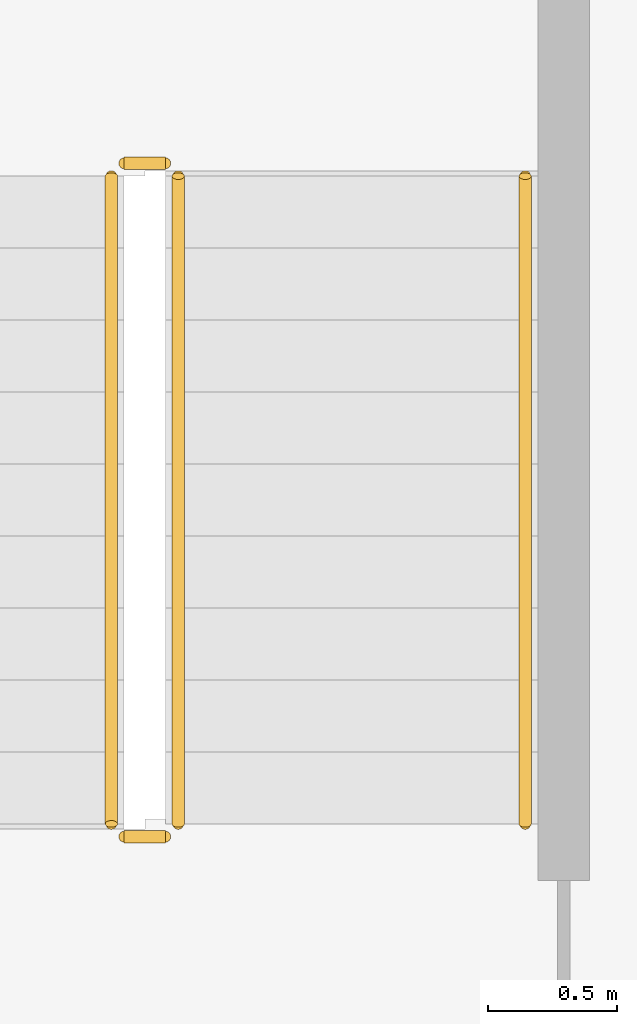
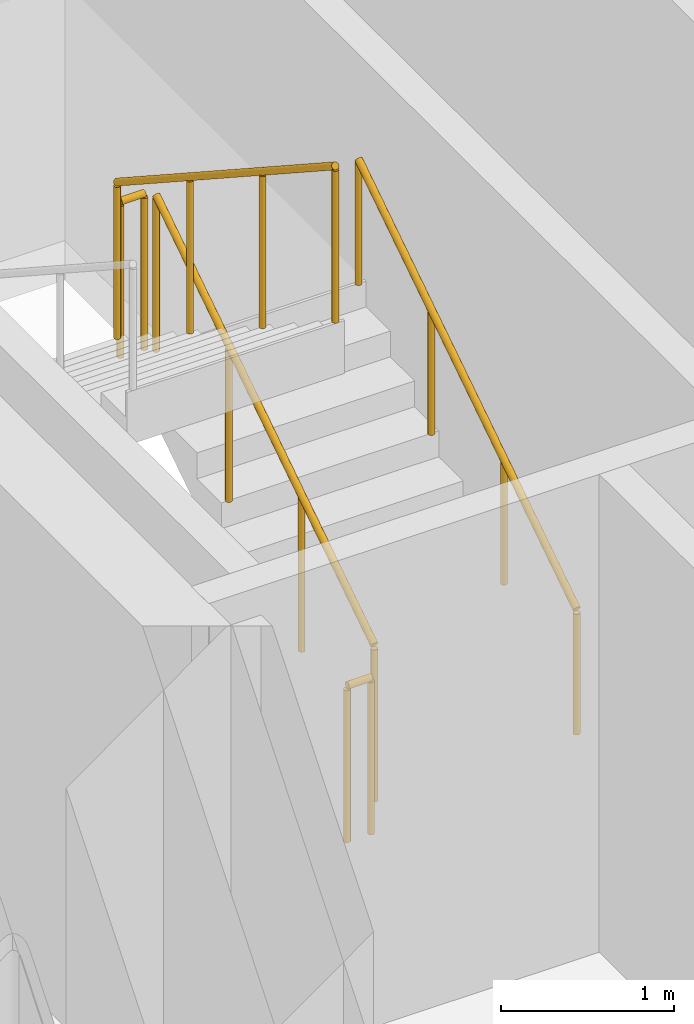
# One storey, part 10 of 12: 5 railings.
"""IFC4 building model written with IfcOpenShell, lengths in metres."""

import ifcopenshell
import ifcopenshell.guid

model = None  # the IFC model being written
_history = None  # IfcOwnerHistory: only IFC2X3 demands one
_inside = {}  # id of a spatial element -> (the spatial element, [elements in it])
_under = {}  # id of a project, library or spatial element -> (it, [spatial elements below it])
_declared = {}  # id of a project -> (the project, [libraries it declares])
_typed = {}  # id of a type object -> (the type object, [elements of that type])
_made_of = {}  # id of a material, layer set ... -> (it, [elements and type objects made of it])


def new_model(schema):
    """Start an empty IFC model of exactly this schema.

    Asked for "IFC4X3", IfcOpenShell would pick the latest addendum, in which some entities
    have other attributes; the version numbers below select the first issue.
    IFC2X3 requires an IfcOwnerHistory on every rooted entity: one is made here for all.
    """
    global model, _history
    if schema == "IFC4X3":
        model = ifcopenshell.file(schema_version=(4, 3, 0, 0))
    else:
        model = ifcopenshell.file(schema=schema)
    _inside.clear()
    _under.clear()
    _declared.clear()
    _typed.clear()
    _made_of.clear()
    _history = None
    if model.schema == "IFC2X3":
        org = make("IfcOrganization", Name="unknown")
        user = make(
            "IfcPersonAndOrganization",
            ThePerson=make("IfcPerson", FamilyName="unknown"),
            TheOrganization=org,
        )
        app = make(
            "IfcApplication",
            ApplicationDeveloper=org,
            Version="unknown",
            ApplicationFullName="unknown",
            ApplicationIdentifier="unknown",
        )
        _history = make(
            "IfcOwnerHistory",
            OwningUser=user,
            OwningApplication=app,
            ChangeAction="ADDED",
            CreationDate=0,
        )
    return model


def make(cls, **values):
    """One entity of the class cls with the attributes given. An attribute that is None is left unset."""
    return model.create_entity(
        cls, **{name: value for name, value in values.items() if value is not None}
    )


def rooted(cls, **values):
    """An entity with a GlobalId (a new one), such as an element, a storey or a relation."""
    return make(cls, GlobalId=ifcopenshell.guid.new(), OwnerHistory=_history, **values)


def si_unit(unit_type, name, prefix=None):
    """IfcSIUnit, for example si_unit("LENGTHUNIT", "METRE", prefix="MILLI")."""
    return make("IfcSIUnit", UnitType=unit_type, Prefix=prefix, Name=name)


def assignment(units):
    """IfcUnitAssignment: the units of a project."""
    return None if units is None else make("IfcUnitAssignment", Units=units)


def point(xyz):
    """IfcCartesianPoint."""
    return None if xyz is None else make("IfcCartesianPoint", Coordinates=xyz)


def direction(xyz):
    """IfcDirection."""
    return None if xyz is None else make("IfcDirection", DirectionRatios=xyz)


def frame(location, z_axis=None, x_axis=None):
    """IfcAxis2Placement3D, a coordinate frame: its origin and axes. An axis left out is left unset."""
    return make(
        "IfcAxis2Placement3D",
        Location=point(location),
        Axis=direction(z_axis),
        RefDirection=direction(x_axis),
    )


def frame_2d(location, x_axis=None):
    """IfcAxis2Placement2D, a coordinate frame in the plane: its origin and x axis."""
    return make(
        "IfcAxis2Placement2D", Location=point(location), RefDirection=direction(x_axis)
    )


def origin():
    """The frame at (0, 0, 0) with its axes left unset."""
    return frame((0.0, 0.0, 0.0))


def origin_2d():
    """The frame at (0, 0) in the plane with its x axis left unset."""
    return frame_2d((0.0, 0.0))


def place(relative_to, where):
    """IfcLocalPlacement: puts the frame where relative to a parent placement (None: the world)."""
    return make(
        "IfcLocalPlacement", PlacementRelTo=relative_to, RelativePlacement=where
    )


def context(
    kind, dimensions, precision=None, world=None, true_north=None, identifier=None
):
    """IfcGeometricRepresentationContext, for example the 3D "Model" context."""
    return make(
        "IfcGeometricRepresentationContext",
        ContextIdentifier=identifier,
        ContextType=kind,
        CoordinateSpaceDimension=dimensions,
        Precision=precision,
        WorldCoordinateSystem=world,
        TrueNorth=true_north,
    )


def subcontext(parent, identifier, kind, view, scale=None):
    """IfcGeometricRepresentationSubContext, for example "Body" below "Model"."""
    return make(
        "IfcGeometricRepresentationSubContext",
        ContextIdentifier=identifier,
        ContextType=kind,
        ParentContext=parent,
        TargetScale=scale,
        TargetView=view,
    )


def project(units=None, contexts=None):
    """IfcProject with its units and contexts."""
    return rooted(
        "IfcProject",
        Name="project",
        RepresentationContexts=contexts,
        UnitsInContext=assignment(units),
    )


def spatial(cls, under=None, at=None, **own):
    """A site, building, storey or space (cls), placed at a placement, below another one or the project."""
    s = rooted(cls, ObjectPlacement=at, **own)
    if under is not None:
        _under.setdefault(under.id(), (under, []))[1].append(s)
    return s


def profile(cls, at=None, kind="AREA", **sizes):
    """A parametric profile (cls). Its sizes go by their IFC names, for example OverallWidth=200.0."""
    return make(cls, ProfileType=kind, Position=at, **sizes)


def circle(**sizes):
    """IfcCircleProfileDef."""
    return profile("IfcCircleProfileDef", **sizes)


def extrude(swept, where, along, depth):
    """IfcExtrudedAreaSolid: the profile swept, set in the frame where, extruded along a direction by depth."""
    return make(
        "IfcExtrudedAreaSolid",
        SweptArea=swept,
        Position=where,
        ExtrudedDirection=direction(along),
        Depth=depth,
    )


def shape(context_of_items, identifier, shape_type, items):
    """IfcShapeRepresentation: the items that make up one representation, for example the "Body"."""
    return make(
        "IfcShapeRepresentation",
        ContextOfItems=context_of_items,
        RepresentationIdentifier=identifier,
        RepresentationType=shape_type,
        Items=items,
    )


def material(Name=None, Category=None):
    """IfcMaterial."""
    return make("IfcMaterial", Name=Name, Category=Category)


def made_of(thing, what):
    """Note that an element or type object is made of a material, layer set ...; save() writes the relation."""
    if what is not None:
        _made_of.setdefault(what.id(), (what, []))[1].append(thing)
    return thing


def type_object(cls, material=None, **own):
    """A type object (cls), such as IfcWallType, which elements share."""
    return made_of(rooted(cls, **own), material)


def element(
    cls,
    number,
    at=None,
    inside=None,
    cuts=None,
    type_object=None,
    material=None,
    context=None,
    identifier="Body",
    shape_type=None,
    held_by="IfcProductDefinitionShape",
    body=None,
    shapes=None,
    **own,
):
    """One element of the class cls, such as IfcWall. Its Tag is "e" and its number.

    at: its placement. inside: the storey or other place that contains it. cuts: it is an
    opening in that element (IfcRelVoidsElement). A single representation is given by context,
    identifier, shape_type and body (its items); several are given by shapes. held_by: the class
    of the entity that holds the representations. save() writes the other relations.
    """
    e = rooted(cls, Tag="e%d" % number, ObjectPlacement=at, **own)
    if body is not None:
        shapes = [shape(context, identifier, shape_type, body)]
    if shapes is not None:
        e.Representation = make(held_by, Representations=shapes)
    if inside is not None:
        _inside.setdefault(inside.id(), (inside, []))[1].append(e)
    if cuts is not None:
        rooted(
            "IfcRelVoidsElement", RelatingBuildingElement=cuts, RelatedOpeningElement=e
        )
    if type_object is not None:
        _typed.setdefault(type_object.id(), (type_object, []))[1].append(e)
    return made_of(e, material)


def aggregate(whole, parts):
    """IfcRelAggregates: a whole, such as a stair, and the parts it consists of."""
    return rooted("IfcRelAggregates", RelatingObject=whole, RelatedObjects=parts)


def save(model, path):
    """Write the relations noted so far, then the file.

    IfcRelAggregates (storeys below a building ...), IfcRelContainedInSpatialStructure (elements
    in a storey), IfcRelDefinesByType, IfcRelAssociatesMaterial and IfcRelDeclares: one each for
    every whole, place, type object, material and project.
    """
    for whole, parts in _under.values():
        aggregate(whole, parts)
    for where, things in _inside.values():
        rooted(
            "IfcRelContainedInSpatialStructure",
            RelatedElements=things,
            RelatingStructure=where,
        )
    for kind, things in _typed.values():
        rooted("IfcRelDefinesByType", RelatedObjects=things, RelatingType=kind)
    for what, things in _made_of.values():
        rooted("IfcRelAssociatesMaterial", RelatedObjects=things, RelatingMaterial=what)
    for by, libraries in _declared.values():
        rooted("IfcRelDeclares", RelatingContext=by, RelatedDefinitions=libraries)
    model.write(path)


model = new_model("IFC4")

# Units and contexts
model_context = context("Model", 3, precision=1e-05, world=origin(), true_north=direction((0.0, 1.0)))
body_context = subcontext(model_context, "Body", "Model", "MODEL_VIEW")
ifc_project = project(units=[si_unit("LENGTHUNIT", "METRE"), si_unit("AREAUNIT", "SQUARE_METRE"), si_unit("VOLUMEUNIT", "CUBIC_METRE"), si_unit("PLANEANGLEUNIT", "RADIAN"), si_unit("MASSUNIT", "GRAM", prefix="KILO")], contexts=[model_context])

# Site, building, storey
site_placement = place(None, origin())
site = spatial("IfcSite", under=ifc_project, at=site_placement, CompositionType="ELEMENT")
building_placement = place(site_placement, origin())
building = spatial("IfcBuilding", under=site, at=building_placement, Name="Nuvemarco Arch Tower", CompositionType="ELEMENT")
storey_placement = place(building_placement, frame((0.0, 0.0, 34.89990234375)))
storey = spatial("IfcBuildingStorey", under=building, at=storey_placement, Name="L08", CompositionType="ELEMENT", Elevation=34.89990234375)

# Railings
ifc_material_1 = material(Name="Brushed stainless steel handrail", Category="steel")
railing_type_1 = type_object("IfcRailingType", Name="RL-HANDRAIL-900", PredefinedType="HANDRAIL", material=ifc_material_1)
railing_1_placement = place(storey_placement, frame((-13.590087890625, 2.64990234375, 0.1826171875)))
element("IfcRailing", 1, at=railing_1_placement, inside=storey, type_object=railing_type_1, Name="L08 ST-1 stair handrail 1", PredefinedType="HANDRAIL", context=body_context, shape_type="SweptSolid", body=[
    extrude(circle(Radius=0.02392578125, at=origin_2d()), frame((0.0, 0.0, 0.8759765625), z_axis=(0.0, 0.837749427056, 0.546054848405), x_axis=(-1.0, 0.0, 0.0)), (0.0, 0.0, 1.0), 3.008056640625),
    extrude(circle(Radius=0.02099609375, at=origin_2d()), origin(), (0.0, 0.0, 1.0), 0.851806640625),
    extrude(circle(Radius=0.02099609375, at=origin_2d()), frame((0.0, 0.840087890625, 0.547607421875)), (0.0, 0.0, 1.0), 0.851806640625),
    extrude(circle(Radius=0.02099609375, at=origin_2d()), frame((0.0, 1.679931640625, 1.094970703125)), (0.0, 0.0, 1.0), 0.851806640625),
    extrude(circle(Radius=0.02099609375, at=origin_2d()), frame((0.0, 2.52001953125, 1.642578125)), (0.0, 0.0, 1.0), 0.851806640625),
])
ifc_material_2 = material(Name="Painted balustrade steel S355", Category="steel")
railing_type_2 = type_object("IfcRailingType", Name="RL-STAIR-GUARD", PredefinedType="GUARDRAIL", material=ifc_material_2)
railing_2_placement = place(storey_placement, frame((-14.93994140625, 2.64990234375, 0.1826171875)))
element("IfcRailing", 2, at=railing_2_placement, inside=storey, type_object=railing_type_2, Name="L08 ST-1 stair guard 1", PredefinedType="GUARDRAIL", context=body_context, shape_type="SweptSolid", body=[
    extrude(circle(Radius=0.02392578125, at=origin_2d()), frame((0.0, 0.0, 1.09619140625), z_axis=(0.0, 0.837749427056, 0.546054848405), x_axis=(-1.0, 0.0, 0.0)), (0.0, 0.0, 1.0), 3.008056640625),
    extrude(circle(Radius=0.02099609375, at=origin_2d()), origin(), (0.0, 0.0, 1.0), 1.072021484375),
    extrude(circle(Radius=0.02099609375, at=origin_2d()), frame((0.0, 0.840087890625, 0.547607421875)), (0.0, 0.0, 1.0), 1.072021484375),
    extrude(circle(Radius=0.02099609375, at=origin_2d()), frame((0.0, 1.679931640625, 1.094970703125)), (0.0, 0.0, 1.0), 1.072021484375),
    extrude(circle(Radius=0.02099609375, at=origin_2d()), frame((0.0, 2.52001953125, 1.642578125)), (0.0, 0.0, 1.0), 1.072021484375),
])
railing_3_placement = place(storey_placement, frame((-14.989990234375, 5.219970703125, 1.8251953125)))
element("IfcRailing", 3, at=railing_3_placement, inside=storey, type_object=railing_type_2, Name="L08 ST-1 stair guard 2", PredefinedType="GUARDRAIL", context=body_context, shape_type="SweptSolid", body=[
    extrude(circle(Radius=0.02392578125, at=origin_2d()), frame((0.0, 0.0, 1.09619140625), z_axis=(-1.0, 0.0, 0.0), x_axis=(0.0, -1.0, 0.0)), (0.0, 0.0, 1.0), 0.159912109375),
    extrude(circle(Radius=0.02099609375, at=origin_2d()), origin(), (0.0, 0.0, 1.0), 1.072021484375),
    extrude(circle(Radius=0.02099609375, at=origin_2d()), frame((-0.159912109375, 0.0, 0.0)), (0.0, 0.0, 1.0), 1.072021484375),
])
railing_4_placement = place(storey_placement, frame((-15.199951171875, 5.169921875, 2.007568359375)))
element("IfcRailing", 4, at=railing_4_placement, inside=storey, type_object=railing_type_2, Name="L08 ST-1 stair guard 3", PredefinedType="GUARDRAIL", context=body_context, shape_type="SweptSolid", body=[
    extrude(circle(Radius=0.02392578125, at=origin_2d()), frame((0.0, 0.0, 1.09619140625), z_axis=(0.0, -0.837749427056, 0.546054848405), x_axis=(1.0, 0.0, 0.0)), (0.0, 0.0, 1.0), 3.008056640625),
    extrude(circle(Radius=0.02099609375, at=origin_2d()), origin(), (0.0, 0.0, 1.0), 1.072021484375),
    extrude(circle(Radius=0.02099609375, at=origin_2d()), frame((0.0, -0.840087890625, 0.547607421875)), (0.0, 0.0, 1.0), 1.072021484375),
    extrude(circle(Radius=0.02099609375, at=origin_2d()), frame((0.0, -1.679931640625, 1.094970703125)), (0.0, 0.0, 1.0), 1.072021484375),
    extrude(circle(Radius=0.02099609375, at=origin_2d()), frame((0.0, -2.52001953125, 1.642578125)), (0.0, 0.0, 1.0), 1.072021484375),
])
railing_5_placement = place(storey_placement, frame((-14.989990234375, 2.60009765625, 0.0)))
element("IfcRailing", 5, at=railing_5_placement, inside=storey, type_object=railing_type_2, Name="L08 ST-1 stair guard 4", PredefinedType="GUARDRAIL", context=body_context, shape_type="SweptSolid", body=[
    extrude(circle(Radius=0.02392578125, at=origin_2d()), frame((0.0, 0.0, 1.09619140625), z_axis=(-1.0, 0.0, 0.0), x_axis=(0.0, -1.0, 0.0)), (0.0, 0.0, 1.0), 0.159912109375),
    extrude(circle(Radius=0.02099609375, at=origin_2d()), origin(), (0.0, 0.0, 1.0), 1.072021484375),
    extrude(circle(Radius=0.02099609375, at=origin_2d()), frame((-0.159912109375, 0.0, 0.0)), (0.0, 0.0, 1.0), 1.072021484375),
])

save(model, "model.ifc")
